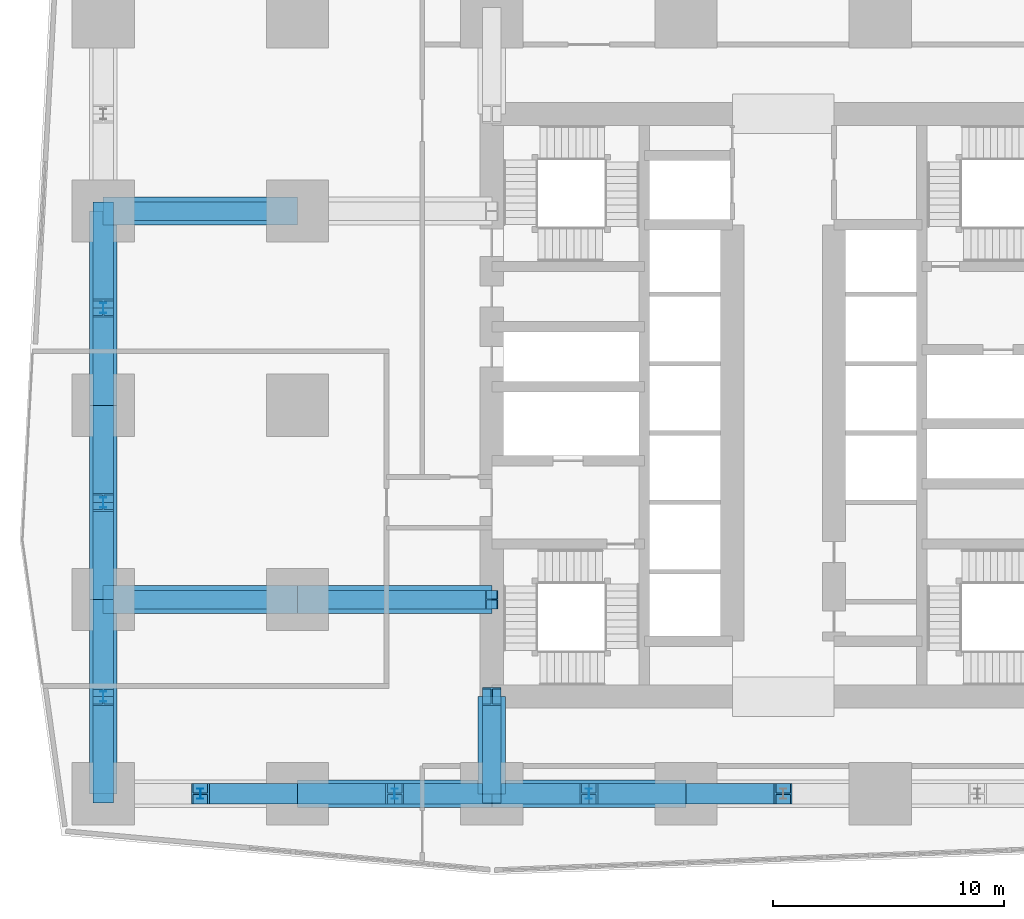
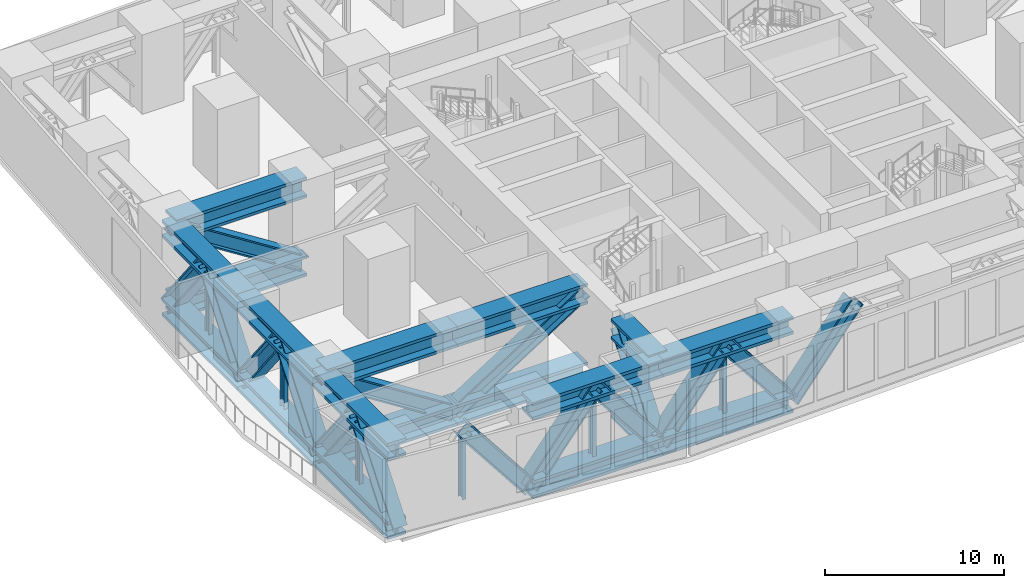
# One storey, part 2 of 16: 40 members.
"""IFC4 building model written with IfcOpenShell, lengths in metres."""

import ifcopenshell
import ifcopenshell.guid

model = None  # the IFC model being written
_history = None  # IfcOwnerHistory: only IFC2X3 demands one
_inside = {}  # id of a spatial element -> (the spatial element, [elements in it])
_under = {}  # id of a project, library or spatial element -> (it, [spatial elements below it])
_declared = {}  # id of a project -> (the project, [libraries it declares])
_typed = {}  # id of a type object -> (the type object, [elements of that type])
_made_of = {}  # id of a material, layer set ... -> (it, [elements and type objects made of it])


def new_model(schema):
    """Start an empty IFC model of exactly this schema.

    Asked for "IFC4X3", IfcOpenShell would pick the latest addendum, in which some entities
    have other attributes; the version numbers below select the first issue.
    IFC2X3 requires an IfcOwnerHistory on every rooted entity: one is made here for all.
    """
    global model, _history
    if schema == "IFC4X3":
        model = ifcopenshell.file(schema_version=(4, 3, 0, 0))
    else:
        model = ifcopenshell.file(schema=schema)
    _inside.clear()
    _under.clear()
    _declared.clear()
    _typed.clear()
    _made_of.clear()
    _history = None
    if model.schema == "IFC2X3":
        org = make("IfcOrganization", Name="unknown")
        user = make(
            "IfcPersonAndOrganization",
            ThePerson=make("IfcPerson", FamilyName="unknown"),
            TheOrganization=org,
        )
        app = make(
            "IfcApplication",
            ApplicationDeveloper=org,
            Version="unknown",
            ApplicationFullName="unknown",
            ApplicationIdentifier="unknown",
        )
        _history = make(
            "IfcOwnerHistory",
            OwningUser=user,
            OwningApplication=app,
            ChangeAction="ADDED",
            CreationDate=0,
        )
    return model


def make(cls, **values):
    """One entity of the class cls with the attributes given. An attribute that is None is left unset."""
    return model.create_entity(
        cls, **{name: value for name, value in values.items() if value is not None}
    )


def rooted(cls, **values):
    """An entity with a GlobalId (a new one), such as an element, a storey or a relation."""
    return make(cls, GlobalId=ifcopenshell.guid.new(), OwnerHistory=_history, **values)


def si_unit(unit_type, name, prefix=None):
    """IfcSIUnit, for example si_unit("LENGTHUNIT", "METRE", prefix="MILLI")."""
    return make("IfcSIUnit", UnitType=unit_type, Prefix=prefix, Name=name)


def assignment(units):
    """IfcUnitAssignment: the units of a project."""
    return None if units is None else make("IfcUnitAssignment", Units=units)


def point(xyz):
    """IfcCartesianPoint."""
    return None if xyz is None else make("IfcCartesianPoint", Coordinates=xyz)


def direction(xyz):
    """IfcDirection."""
    return None if xyz is None else make("IfcDirection", DirectionRatios=xyz)


def frame(location, z_axis=None, x_axis=None):
    """IfcAxis2Placement3D, a coordinate frame: its origin and axes. An axis left out is left unset."""
    return make(
        "IfcAxis2Placement3D",
        Location=point(location),
        Axis=direction(z_axis),
        RefDirection=direction(x_axis),
    )


def frame_2d(location, x_axis=None):
    """IfcAxis2Placement2D, a coordinate frame in the plane: its origin and x axis."""
    return make(
        "IfcAxis2Placement2D", Location=point(location), RefDirection=direction(x_axis)
    )


def origin():
    """The frame at (0, 0, 0) with its axes left unset."""
    return frame((0.0, 0.0, 0.0))


def origin_2d():
    """The frame at (0, 0) in the plane with its x axis left unset."""
    return frame_2d((0.0, 0.0))


def place(relative_to, where):
    """IfcLocalPlacement: puts the frame where relative to a parent placement (None: the world)."""
    return make(
        "IfcLocalPlacement", PlacementRelTo=relative_to, RelativePlacement=where
    )


def context(
    kind, dimensions, precision=None, world=None, true_north=None, identifier=None
):
    """IfcGeometricRepresentationContext, for example the 3D "Model" context."""
    return make(
        "IfcGeometricRepresentationContext",
        ContextIdentifier=identifier,
        ContextType=kind,
        CoordinateSpaceDimension=dimensions,
        Precision=precision,
        WorldCoordinateSystem=world,
        TrueNorth=true_north,
    )


def subcontext(parent, identifier, kind, view, scale=None):
    """IfcGeometricRepresentationSubContext, for example "Body" below "Model"."""
    return make(
        "IfcGeometricRepresentationSubContext",
        ContextIdentifier=identifier,
        ContextType=kind,
        ParentContext=parent,
        TargetScale=scale,
        TargetView=view,
    )


def project(units=None, contexts=None):
    """IfcProject with its units and contexts."""
    return rooted(
        "IfcProject",
        Name="project",
        RepresentationContexts=contexts,
        UnitsInContext=assignment(units),
    )


def spatial(cls, under=None, at=None, **own):
    """A site, building, storey or space (cls), placed at a placement, below another one or the project."""
    s = rooted(cls, ObjectPlacement=at, **own)
    if under is not None:
        _under.setdefault(under.id(), (under, []))[1].append(s)
    return s


def profile(cls, at=None, kind="AREA", **sizes):
    """A parametric profile (cls). Its sizes go by their IFC names, for example OverallWidth=200.0."""
    return make(cls, ProfileType=kind, Position=at, **sizes)


def i_section(**sizes):
    """IfcIShapeProfileDef."""
    return profile("IfcIShapeProfileDef", **sizes)


def extrude(swept, where, along, depth):
    """IfcExtrudedAreaSolid: the profile swept, set in the frame where, extruded along a direction by depth."""
    return make(
        "IfcExtrudedAreaSolid",
        SweptArea=swept,
        Position=where,
        ExtrudedDirection=direction(along),
        Depth=depth,
    )


def shape(context_of_items, identifier, shape_type, items):
    """IfcShapeRepresentation: the items that make up one representation, for example the "Body"."""
    return make(
        "IfcShapeRepresentation",
        ContextOfItems=context_of_items,
        RepresentationIdentifier=identifier,
        RepresentationType=shape_type,
        Items=items,
    )


def material(Name=None, Category=None):
    """IfcMaterial."""
    return make("IfcMaterial", Name=Name, Category=Category)


def material_profile(
    of_material, cross_section, Name=None, Category=None, Priority=None
):
    """IfcMaterialProfile: a cross section and its material."""
    return make(
        "IfcMaterialProfile",
        Name=Name,
        Material=of_material,
        Profile=cross_section,
        Priority=Priority,
        Category=Category,
    )


def profile_set(profiles, Name=None, composite=None):
    """IfcMaterialProfileSet."""
    return make(
        "IfcMaterialProfileSet",
        Name=Name,
        MaterialProfiles=profiles,
        CompositeProfile=composite,
    )


def made_of(thing, what):
    """Note that an element or type object is made of a material, layer set ...; save() writes the relation."""
    if what is not None:
        _made_of.setdefault(what.id(), (what, []))[1].append(thing)
    return thing


def type_object(cls, material=None, **own):
    """A type object (cls), such as IfcWallType, which elements share."""
    return made_of(rooted(cls, **own), material)


def element(
    cls,
    number,
    at=None,
    inside=None,
    cuts=None,
    type_object=None,
    material=None,
    context=None,
    identifier="Body",
    shape_type=None,
    held_by="IfcProductDefinitionShape",
    body=None,
    shapes=None,
    **own,
):
    """One element of the class cls, such as IfcWall. Its Tag is "e" and its number.

    at: its placement. inside: the storey or other place that contains it. cuts: it is an
    opening in that element (IfcRelVoidsElement). A single representation is given by context,
    identifier, shape_type and body (its items); several are given by shapes. held_by: the class
    of the entity that holds the representations. save() writes the other relations.
    """
    e = rooted(cls, Tag="e%d" % number, ObjectPlacement=at, **own)
    if body is not None:
        shapes = [shape(context, identifier, shape_type, body)]
    if shapes is not None:
        e.Representation = make(held_by, Representations=shapes)
    if inside is not None:
        _inside.setdefault(inside.id(), (inside, []))[1].append(e)
    if cuts is not None:
        rooted(
            "IfcRelVoidsElement", RelatingBuildingElement=cuts, RelatedOpeningElement=e
        )
    if type_object is not None:
        _typed.setdefault(type_object.id(), (type_object, []))[1].append(e)
    return made_of(e, material)


def aggregate(whole, parts):
    """IfcRelAggregates: a whole, such as a stair, and the parts it consists of."""
    return rooted("IfcRelAggregates", RelatingObject=whole, RelatedObjects=parts)


def save(model, path):
    """Write the relations noted so far, then the file.

    IfcRelAggregates (storeys below a building ...), IfcRelContainedInSpatialStructure (elements
    in a storey), IfcRelDefinesByType, IfcRelAssociatesMaterial and IfcRelDeclares: one each for
    every whole, place, type object, material and project.
    """
    for whole, parts in _under.values():
        aggregate(whole, parts)
    for where, things in _inside.values():
        rooted(
            "IfcRelContainedInSpatialStructure",
            RelatedElements=things,
            RelatingStructure=where,
        )
    for kind, things in _typed.values():
        rooted("IfcRelDefinesByType", RelatedObjects=things, RelatingType=kind)
    for what, things in _made_of.values():
        rooted("IfcRelAssociatesMaterial", RelatedObjects=things, RelatingMaterial=what)
    for by, libraries in _declared.values():
        rooted("IfcRelDeclares", RelatingContext=by, RelatedDefinitions=libraries)
    model.write(path)


model = new_model("IFC4")

# Units and contexts
model_context = context("Model", 3, precision=1e-05, world=origin(), true_north=direction((0.0, 1.0)))
body_context = subcontext(model_context, "Body", "Model", "MODEL_VIEW")
ifc_project = project(units=[si_unit("LENGTHUNIT", "METRE"), si_unit("AREAUNIT", "SQUARE_METRE"), si_unit("VOLUMEUNIT", "CUBIC_METRE"), si_unit("PLANEANGLEUNIT", "RADIAN"), si_unit("MASSUNIT", "GRAM", prefix="KILO")], contexts=[model_context])

# Site, building, storey
site_placement = place(None, origin())
site = spatial("IfcSite", under=ifc_project, at=site_placement, CompositionType="ELEMENT")
building_placement = place(site_placement, origin())
building = spatial("IfcBuilding", under=site, at=building_placement, Name="Rekha Terrace Tower", CompositionType="ELEMENT")
storey_placement = place(building_placement, frame((0.0, 0.0, 162.800048828125)))
storey = spatial("IfcBuildingStorey", under=building, at=storey_placement, Name="L41", CompositionType="ELEMENT", Elevation=162.800048828125)

# Members
ifc_material = material(Name="Steel E350", Category="steel")
ifc_material_profile_1 = material_profile(ifc_material, i_section(OverallWidth=1.199951171875, OverallDepth=1.199951171875, WebThickness=0.1298828125, FlangeThickness=0.199951171875, at=origin_2d()), Name="BU 1200x1200x130x200")
ifc_profile_set_1 = profile_set([ifc_material_profile_1], Name="Steel E350")
member_type_1 = type_object("IfcMemberType", Name="BC41 BU 1200x1200x130x200 belt truss chord", PredefinedType="CHORD", material=ifc_profile_set_1)
for number, where, z_axis, x_axis, name in (
    (1, (16.800048828125, 16.800048828125, 4.300048828125), (1.0, 0.0, 0.0), (0.0, 1.0, 0.0), "Belt top chord 3C-4C L41"),
    (2, (16.800048828125, 16.800048828125, -1.050048828125), (1.0, 0.0, 0.0), (0.0, 1.0, 0.0), "Belt bottom chord 3C-4C L41"),
):
    element("IfcMember", number, at=place(storey_placement, frame(where, z_axis=z_axis, x_axis=x_axis)), inside=storey, type_object=member_type_1, Name=name, PredefinedType="CHORD", context=body_context, shape_type="SweptSolid", body=[
        extrude(i_section(OverallWidth=1.199951171875, OverallDepth=1.199951171875, WebThickness=0.1298828125, FlangeThickness=0.199951171875, at=origin_2d()), origin(), (0.0, 0.0, 1.0), 8.39990234375),
    ])
for number, where, z_axis, x_axis, name in (
    (3, (25.199951171875, 16.800048828125, 4.300048828125), (1.0, 0.0, 0.0), (0.0, 1.0, 0.0), "Belt top chord 4C-5C L41"),
    (4, (25.199951171875, 16.800048828125, -1.050048828125), (1.0, 0.0, 0.0), (0.0, 1.0, 0.0), "Belt bottom chord 4C-5C L41"),
):
    element("IfcMember", number, at=place(storey_placement, frame(where, z_axis=z_axis, x_axis=x_axis)), inside=storey, type_object=member_type_1, Name=name, PredefinedType="CHORD", context=body_context, shape_type="SweptSolid", body=[
        extrude(i_section(OverallWidth=1.199951171875, OverallDepth=1.199951171875, WebThickness=0.1298828125, FlangeThickness=0.199951171875, at=origin_2d()), origin(), (0.0, 0.0, 1.0), 8.400146484375),
    ])
for number, where, z_axis, x_axis, name in (
    (5, (8.39990234375, 42.0, 4.300048828125), (0.0, -1.0, 0.0), (1.0, 0.0, 0.0), "Belt top chord 2F-2E L41"),
    (6, (8.39990234375, 42.0, -1.050048828125), (0.0, -1.0, 0.0), (1.0, 0.0, 0.0), "Belt bottom chord 2F-2E L41"),
):
    element("IfcMember", number, at=place(storey_placement, frame(where, z_axis=z_axis, x_axis=x_axis)), inside=storey, type_object=member_type_1, Name=name, PredefinedType="CHORD", context=body_context, shape_type="SweptSolid", body=[
        extrude(i_section(OverallWidth=1.199951171875, OverallDepth=1.199951171875, WebThickness=0.1298828125, FlangeThickness=0.199951171875, at=origin_2d()), origin(), (0.0, 0.0, 1.0), 8.39990234375),
    ])
for number, where, z_axis, x_axis, name in (
    (7, (8.39990234375, 33.60009765625, 4.300048828125), (0.0, -1.0, 0.0), (1.0, 0.0, 0.0), "Belt top chord 2E-2D L41"),
    (8, (8.39990234375, 33.60009765625, -1.050048828125), (0.0, -1.0, 0.0), (1.0, 0.0, 0.0), "Belt bottom chord 2E-2D L41"),
):
    element("IfcMember", number, at=place(storey_placement, frame(where, z_axis=z_axis, x_axis=x_axis)), inside=storey, type_object=member_type_1, Name=name, PredefinedType="CHORD", context=body_context, shape_type="SweptSolid", body=[
        extrude(i_section(OverallWidth=1.199951171875, OverallDepth=1.199951171875, WebThickness=0.1298828125, FlangeThickness=0.199951171875, at=origin_2d()), origin(), (0.0, 0.0, 1.0), 8.400146484375),
    ])
for number, where, z_axis, x_axis, name in (
    (9, (8.39990234375, 25.199951171875, 4.300048828125), (0.0, -1.0, 0.0), (1.0, 0.0, 0.0), "Belt top chord 2D-2C L41"),
    (10, (8.39990234375, 25.199951171875, -1.050048828125), (0.0, -1.0, 0.0), (1.0, 0.0, 0.0), "Belt bottom chord 2D-2C L41"),
):
    element("IfcMember", number, at=place(storey_placement, frame(where, z_axis=z_axis, x_axis=x_axis)), inside=storey, type_object=member_type_1, Name=name, PredefinedType="CHORD", context=body_context, shape_type="SweptSolid", body=[
        extrude(i_section(OverallWidth=1.199951171875, OverallDepth=1.199951171875, WebThickness=0.1298828125, FlangeThickness=0.199951171875, at=origin_2d()), origin(), (0.0, 0.0, 1.0), 8.39990234375),
    ])
ifc_material_profile_2 = material_profile(ifc_material, i_section(OverallWidth=0.89990234375, OverallDepth=1.0, WebThickness=0.06005859375, FlangeThickness=0.10009765625, at=origin_2d()), Name="BU 1000x900x60x100")
ifc_profile_set_2 = profile_set([ifc_material_profile_2], Name="Steel E350")
member_type_2 = type_object("IfcMemberType", Name="BD41 BU 1000x900x60x100 belt truss diagonal", PredefinedType="BRACE", material=ifc_profile_set_2)
for number, where, z_axis, x_axis, name in (
    (11, (16.800048828125, 16.800048828125, -1.050048828125), (-0.617485427507, 0.0, 0.786582320432), (0.0, -1.0, 0.0), "Belt diagonal 2C-3C L41"),
    (12, (16.800048828125, 16.800048828125, -1.050048828125), (0.617485427507, 0.0, 0.786582320432), (0.0, 1.0, 0.0), "Belt diagonal 3C-4C L41"),
    (13, (25.199951171875, 16.800048828125, -1.050048828125), (-0.617485427507, 0.0, 0.786582320432), (0.0, -1.0, 0.0), "Belt diagonal 3C-4C L41"),
    (14, (25.199951171875, 16.800048828125, -1.050048828125), (0.617485427507, 0.0, 0.786582320432), (0.0, 1.0, 0.0), "Belt diagonal 4C-5C L41"),
    (15, (33.60009765625, 16.800048828125, -1.050048828125), (-0.617507634842, 0.0, 0.78656488665), (0.0, -1.0, 0.0), "Belt diagonal 4C-5C L41"),
    (16, (33.60009765625, 16.800048828125, -1.050048828125), (0.617485427507, 0.0, 0.786582320432), (0.0, 1.0, 0.0), "Belt diagonal 5C-6C L41"),
    (17, (8.39990234375, 42.0, -1.050048828125), (0.0, -0.617485427507, 0.786582320432), (1.0, 0.0, 0.0), "Belt diagonal 2F-2E L41"),
    (18, (8.39990234375, 33.60009765625, -1.050048828125), (0.0, 0.617485427507, 0.786582320432), (-1.0, 0.0, 0.0), "Belt diagonal 2F-2E L41"),
    (19, (8.39990234375, 33.60009765625, -1.050048828125), (0.0, -0.617507634842, 0.78656488665), (1.0, 0.0, 0.0), "Belt diagonal 2E-2D L41"),
    (20, (8.39990234375, 25.199951171875, -1.050048828125), (0.0, 0.617485427507, 0.786582320432), (-1.0, 0.0, 0.0), "Belt diagonal 2E-2D L41"),
    (21, (8.39990234375, 25.199951171875, -1.050048828125), (0.0, -0.617485427507, 0.786582320432), (1.0, 0.0, 0.0), "Belt diagonal 2D-2C L41"),
    (22, (8.39990234375, 16.800048828125, -1.050048828125), (0.0, 0.617485427507, 0.786582320432), (-1.0, 0.0, 0.0), "Belt diagonal 2D-2C L41"),
):
    element("IfcMember", number, at=place(storey_placement, frame(where, z_axis=z_axis, x_axis=x_axis)), inside=storey, type_object=member_type_2, Name=name, PredefinedType="BRACE", context=body_context, shape_type="SweptSolid", body=[
        extrude(i_section(OverallWidth=0.89990234375, OverallDepth=1.0, WebThickness=0.06005859375, FlangeThickness=0.10009765625, at=origin_2d()), origin(), (0.0, 0.0, 1.0), 6.8017578125),
    ])
ifc_material_profile_3 = material_profile(ifc_material, i_section(OverallWidth=0.25, OverallDepth=0.449951171875, WebThickness=0.01123046875, FlangeThickness=0.017333984375, FilletRadius=0.014892578125, at=origin_2d()), Name="ISHB 450")
ifc_profile_set_3 = profile_set([ifc_material_profile_3], Name="Steel E350")
member_type_3 = type_object("IfcMemberType", Name="BV41 ISHB 450 belt truss post", PredefinedType="POST", material=ifc_profile_set_3)
for number, where, z_axis, x_axis, name in (
    (23, (12.60009765625, 16.800048828125, -0.449951171875), (0.0, 0.0, 1.0), (1.0, 0.0, 0.0), "Belt post 2C-3C L41"),
    (24, (21.0, 16.800048828125, -0.449951171875), (0.0, 0.0, 1.0), (1.0, 0.0, 0.0), "Belt post 3C-4C L41"),
    (25, (29.39990234375, 16.800048828125, -0.449951171875), (0.0, 0.0, 1.0), (1.0, 0.0, 0.0), "Belt post 4C-5C L41"),
    (26, (8.39990234375, 37.800048828125, -0.449951171875), (0.0, 0.0, 1.0), (1.0, 0.0, 0.0), "Belt post 2F-2E L41"),
    (27, (8.39990234375, 29.39990234375, -0.449951171875), (0.0, 0.0, 1.0), (1.0, 0.0, 0.0), "Belt post 2E-2D L41"),
    (28, (8.39990234375, 21.0, -0.449951171875), (0.0, 0.0, 1.0), (1.0, 0.0, 0.0), "Belt post 2D-2C L41"),
):
    element("IfcMember", number, at=place(storey_placement, frame(where, z_axis=z_axis, x_axis=x_axis)), inside=storey, type_object=member_type_3, Name=name, PredefinedType="POST", context=body_context, shape_type="SweptSolid", body=[
        extrude(i_section(OverallWidth=0.25, OverallDepth=0.449951171875, WebThickness=0.01123046875, FlangeThickness=0.017333984375, FilletRadius=0.014892578125, at=origin_2d()), origin(), (0.0, 0.0, 1.0), 4.14990234375),
    ])
ifc_material_profile_4 = material_profile(ifc_material, i_section(OverallWidth=1.199951171875, OverallDepth=1.39990234375, WebThickness=0.139892578125, FlangeThickness=0.18994140625, at=origin_2d()), Name="BU 1400x1200x140x190")
ifc_profile_set_4 = profile_set([ifc_material_profile_4], Name="Steel E350")
member_type_4 = type_object("IfcMemberType", Name="OC41 BU 1400x1200x140x190 outrigger chord", PredefinedType="CHORD", material=ifc_profile_set_4)
for number, where, z_axis, x_axis, name in (
    (29, (25.199951171875, 25.199951171875, 4.300048828125), (-1.0, 0.0, 0.0), (0.0, -1.0, 0.0), "Outrigger top chord WD-1 L41"),
    (30, (25.199951171875, 25.199951171875, -1.050048828125), (-1.0, 0.0, 0.0), (0.0, -1.0, 0.0), "Outrigger bottom chord WD-1 L41"),
):
    element("IfcMember", number, at=place(storey_placement, frame(where, z_axis=z_axis, x_axis=x_axis)), inside=storey, type_object=member_type_4, Name=name, PredefinedType="CHORD", context=body_context, shape_type="SweptSolid", body=[
        extrude(i_section(OverallWidth=1.199951171875, OverallDepth=1.39990234375, WebThickness=0.139892578125, FlangeThickness=0.18994140625, at=origin_2d()), origin(), (0.0, 0.0, 1.0), 8.39990234375),
    ])
for number, where, z_axis, x_axis, name in (
    (31, (16.800048828125, 25.199951171875, 4.300048828125), (-1.0, 0.0, 0.0), (0.0, -1.0, 0.0), "Outrigger top chord WD-2 L41"),
    (32, (16.800048828125, 25.199951171875, -1.050048828125), (-1.0, 0.0, 0.0), (0.0, -1.0, 0.0), "Outrigger bottom chord WD-2 L41"),
    (33, (16.800048828125, 42.0, 4.300048828125), (-1.0, 0.0, 0.0), (0.0, -1.0, 0.0), "Outrigger top chord WF-2 L41"),
    (34, (16.800048828125, 42.0, -1.050048828125), (-1.0, 0.0, 0.0), (0.0, -1.0, 0.0), "Outrigger bottom chord WF-2 L41"),
):
    element("IfcMember", number, at=place(storey_placement, frame(where, z_axis=z_axis, x_axis=x_axis)), inside=storey, type_object=member_type_4, Name=name, PredefinedType="CHORD", context=body_context, shape_type="SweptSolid", body=[
        extrude(i_section(OverallWidth=1.199951171875, OverallDepth=1.39990234375, WebThickness=0.139892578125, FlangeThickness=0.18994140625, at=origin_2d()), origin(), (0.0, 0.0, 1.0), 8.400146484375),
    ])
for number, where, z_axis, x_axis, name in (
    (35, (25.199951171875, 21.0, 4.300048828125), (0.0, -1.0, 0.0), (1.0, 0.0, 0.0), "Outrigger top chord S4-1 L41"),
    (36, (25.199951171875, 21.0, -1.050048828125), (0.0, -1.0, 0.0), (1.0, 0.0, 0.0), "Outrigger bottom chord S4-1 L41"),
):
    element("IfcMember", number, at=place(storey_placement, frame(where, z_axis=z_axis, x_axis=x_axis)), inside=storey, type_object=member_type_4, Name=name, PredefinedType="CHORD", context=body_context, shape_type="SweptSolid", body=[
        extrude(i_section(OverallWidth=1.199951171875, OverallDepth=1.39990234375, WebThickness=0.139892578125, FlangeThickness=0.18994140625, at=origin_2d()), origin(), (0.0, 0.0, 1.0), 4.199951171875),
    ])
ifc_material_profile_5 = material_profile(ifc_material, i_section(OverallWidth=0.800048828125, OverallDepth=1.0, WebThickness=0.050048828125, FlangeThickness=0.090087890625, at=origin_2d()), Name="BU 1000x800x50x90")
ifc_profile_set_5 = profile_set([ifc_material_profile_5], Name="Steel E350")
member_type_5 = type_object("IfcMemberType", Name="OD41 BU 1000x800x50x90 outrigger diagonal", PredefinedType="BRACE", material=ifc_profile_set_5)
member_1_placement = place(storey_placement, frame((25.199951171875, 25.199951171875, 4.300048828125), z_axis=(-0.843447423157, 0.0, -0.537211731415), x_axis=(0.0, -1.0, 0.0)))
element("IfcMember", 37, at=member_1_placement, inside=storey, type_object=member_type_5, Name="Outrigger diagonal WD-1 L41", PredefinedType="BRACE", context=body_context, shape_type="SweptSolid", body=[
    extrude(i_section(OverallWidth=0.800048828125, OverallDepth=1.0, WebThickness=0.050048828125, FlangeThickness=0.090087890625, at=origin_2d()), origin(), (0.0, 0.0, 1.0), 9.958984375),
])
for number, where, z_axis, x_axis, name in (
    (38, (16.800048828125, 25.199951171875, -1.050048828125), (-0.843454497748, 0.0, 0.537200623816), (0.0, -1.0, 0.0), "Outrigger diagonal WD-2 L41"),
    (39, (16.800048828125, 42.0, -1.050048828125), (-0.843454497748, 0.0, 0.537200623816), (0.0, -1.0, 0.0), "Outrigger diagonal WF-2 L41"),
):
    element("IfcMember", number, at=place(storey_placement, frame(where, z_axis=z_axis, x_axis=x_axis)), inside=storey, type_object=member_type_5, Name=name, PredefinedType="BRACE", context=body_context, shape_type="SweptSolid", body=[
        extrude(i_section(OverallWidth=0.800048828125, OverallDepth=1.0, WebThickness=0.050048828125, FlangeThickness=0.090087890625, at=origin_2d()), origin(), (0.0, 0.0, 1.0), 9.959228515625),
    ])
member_2_placement = place(storey_placement, frame((25.199951171875, 21.0, 4.300048828125), z_axis=(0.0, -0.617485427507, -0.786582320432), x_axis=(1.0, 0.0, 0.0)))
element("IfcMember", 40, at=member_2_placement, inside=storey, type_object=member_type_5, Name="Outrigger diagonal S4-1 L41", PredefinedType="BRACE", context=body_context, shape_type="SweptSolid", body=[
    extrude(i_section(OverallWidth=0.800048828125, OverallDepth=1.0, WebThickness=0.050048828125, FlangeThickness=0.090087890625, at=origin_2d()), origin(), (0.0, 0.0, 1.0), 6.8017578125),
])

save(model, "model.ifc")
